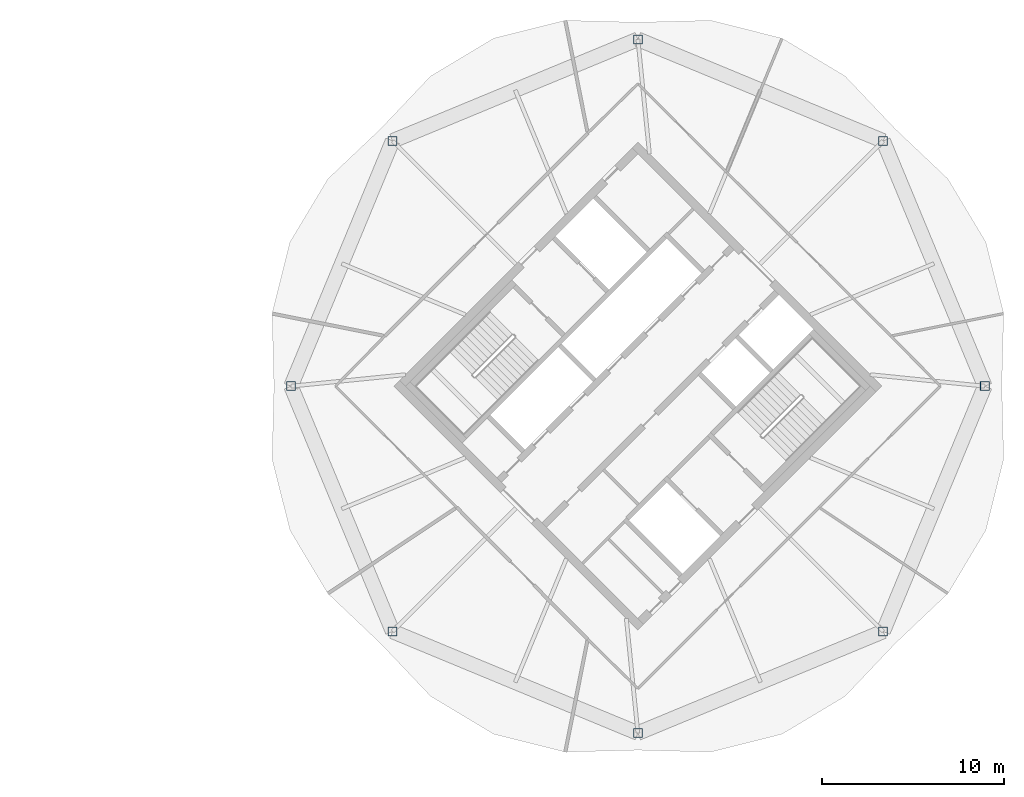
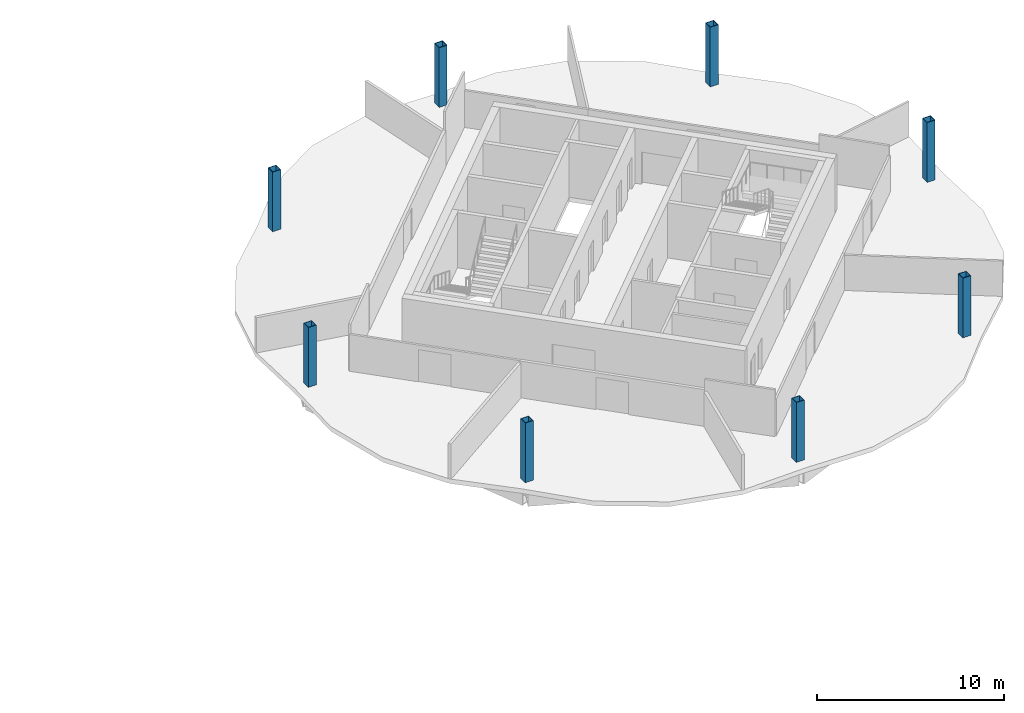
# One storey, part 2 of 10: 8 columns.
"""IFC4 building model written with IfcOpenShell, lengths in metres."""

from ifc_helpers import new_model, si_unit, direction, frame, origin, origin_2d, place, context, subcontext, project, spatial, hollow_rectangle, extrude, material, material_profile, profile_set, type_object, element, save


model = new_model("IFC4")

# Units and contexts
model_context = context("Model", 3, precision=1e-05, world=origin(), true_north=direction((0.0, 1.0)))
body_context = subcontext(model_context, "Body", "Model", "MODEL_VIEW")
ifc_project = project(units=[si_unit("LENGTHUNIT", "METRE"), si_unit("AREAUNIT", "SQUARE_METRE"), si_unit("VOLUMEUNIT", "CUBIC_METRE"), si_unit("PLANEANGLEUNIT", "RADIAN"), si_unit("MASSUNIT", "GRAM", prefix="KILO")], contexts=[model_context])

# Site, building, storey
site_placement = place(None, origin())
site = spatial("IfcSite", under=ifc_project, at=site_placement, CompositionType="ELEMENT")
building_placement = place(site_placement, origin())
building = spatial("IfcBuilding", under=site, at=building_placement, Name="Ogive Gate Towers", CompositionType="ELEMENT")
storey_placement = place(building_placement, frame((0.0, 0.0, 232.800048828125)))
storey = spatial("IfcBuildingStorey", under=building, at=storey_placement, Name="L55", CompositionType="ELEMENT", Elevation=232.800048828125)

# Columns
ifc_material = material(Name="Steel SM460", Category="steel")
ifc_material_profile = material_profile(ifc_material, hollow_rectangle(XDim=0.5, YDim=0.5, WallThickness=0.030029296875, at=origin_2d()), Name="BX 500x500x30")
ifc_profile_set = profile_set([ifc_material_profile], Name="Steel SM460")
column_type = type_object("IfcColumnType", Name="Perimeter post BX 500x500x30", PredefinedType="COLUMN", material=ifc_profile_set)
for number, where, z_axis, x_axis, name in (
    (1, (55.110107421875, 0.0, 0.0), (0.0, 0.0, 1.0), (1.0, 0.0, 0.0), "T2/L55/SCL001"),
    (2, (49.5126953125, 13.5126953125, 0.0), (0.0, 0.0, 1.0), (1.0, 0.0, 0.0), "T2/L55/SCL002"),
    (3, (36.0, 19.110107421875, 0.0), (0.0, 0.0, 1.0), (1.0, 0.0, 0.0), "T2/L55/SCL003"),
    (4, (22.4873046875, 13.5126953125, 0.0), (0.0, 0.0, 1.0), (1.0, 0.0, 0.0), "T2/L55/SCL004"),
    (5, (16.889892578125, 0.0, 0.0), (0.0, 0.0, 1.0), (1.0, 0.0, 0.0), "T2/L55/SCL005"),
    (6, (22.4873046875, -13.5126953125, 0.0), (0.0, 0.0, 1.0), (1.0, 0.0, 0.0), "T2/L55/SCL006"),
    (7, (36.0, -19.110107421875, 0.0), (0.0, 0.0, 1.0), (1.0, 0.0, 0.0), "T2/L55/SCL007"),
    (8, (49.5126953125, -13.5126953125, 0.0), (0.0, 0.0, 1.0), (1.0, 0.0, 0.0), "T2/L55/SCL008"),
):
    element("IfcColumn", number, at=place(storey_placement, frame(where, z_axis=z_axis, x_axis=x_axis)), inside=storey, type_object=column_type, Name=name, PredefinedType="COLUMN", context=body_context, shape_type="SweptSolid", body=[
        extrude(hollow_rectangle(XDim=0.5, YDim=0.5, WallThickness=0.030029296875, at=origin_2d()), origin(), (0.0, 0.0, 1.0), 3.89990234375),
    ])

save(model, "model.ifc")
